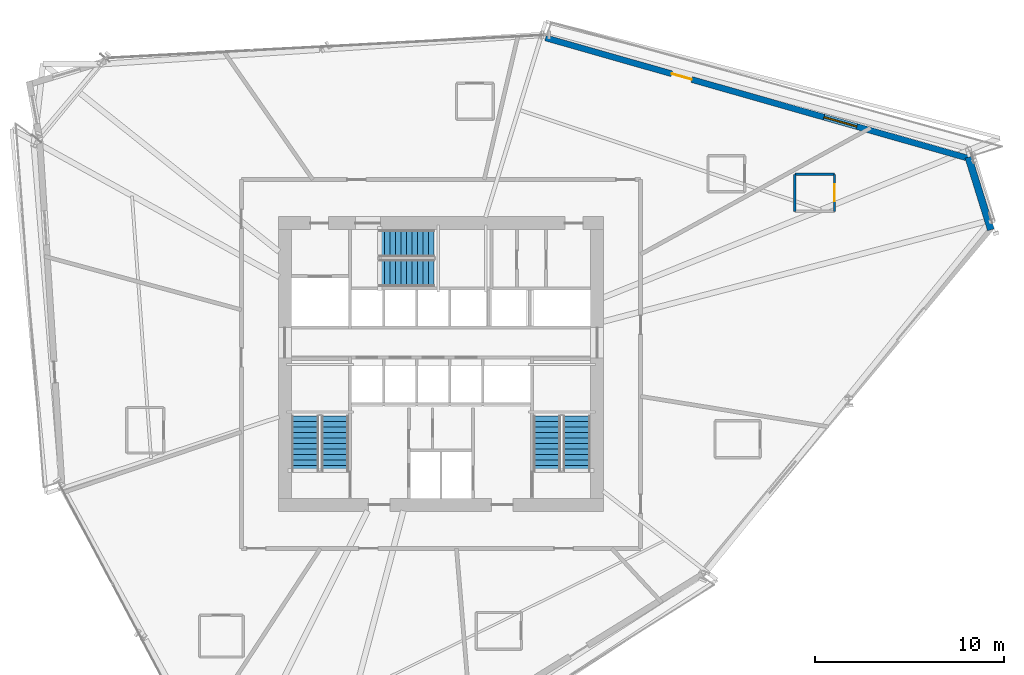
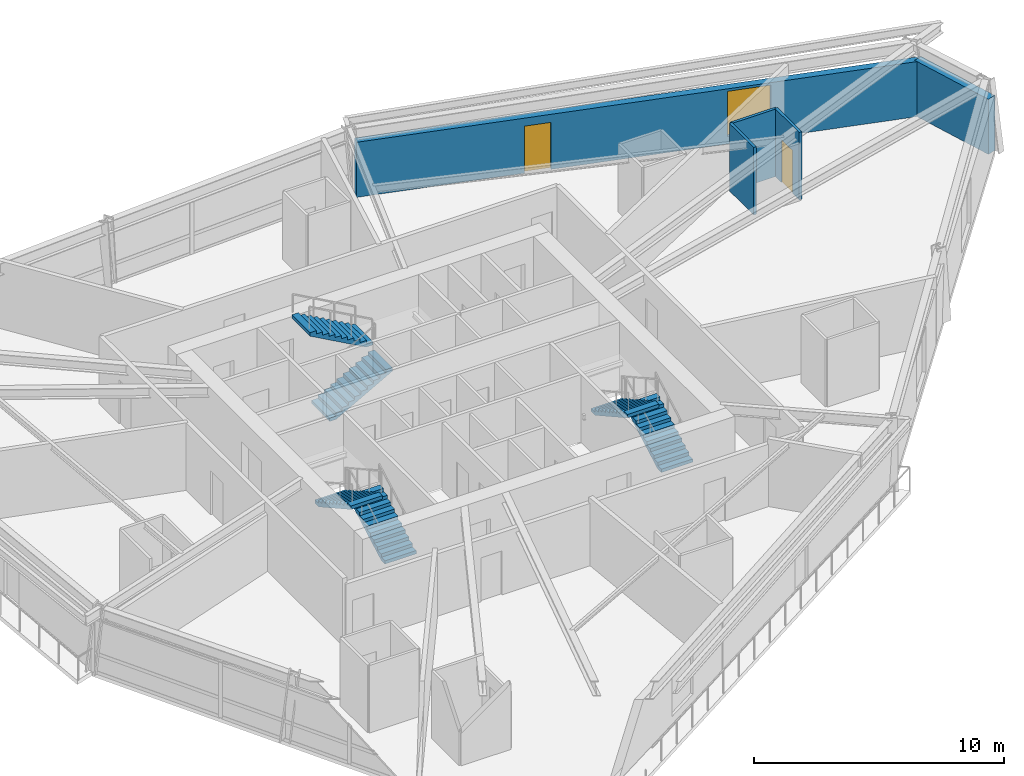
# One storey, part 17 of 21: 6 stair flights, 5 walls, 2 doors, 1 window, 3 openings, 3 elements without a shape of their own.
"""IFC4 building model written with IfcOpenShell, lengths in metres."""

from ifc_helpers import new_model, si_unit, direction, frame, frame_2d, origin, place, context, subcontext, project, spatial, polyline, rectangle, outline, extrude, source, transform, mapped, material, layer, layer_set, type_object, type_shapes, element, fill, aggregate, save


model = new_model("IFC4")

# Units and contexts
model_context = context("Model", 3, precision=1e-05, world=origin(), true_north=direction((0.0, 1.0)))
body_context = subcontext(model_context, "Body", "Model", "MODEL_VIEW")
ifc_project = project(units=[si_unit("LENGTHUNIT", "METRE"), si_unit("AREAUNIT", "SQUARE_METRE"), si_unit("VOLUMEUNIT", "CUBIC_METRE"), si_unit("PLANEANGLEUNIT", "RADIAN"), si_unit("MASSUNIT", "GRAM", prefix="KILO")], contexts=[model_context])

# Site, building, storey
site_placement = place(None, origin())
site = spatial("IfcSite", under=ifc_project, at=site_placement, CompositionType="ELEMENT")
building_placement = place(site_placement, origin())
building = spatial("IfcBuilding", under=site, at=building_placement, Name="Olszyna Solenne Hotel", CompositionType="ELEMENT")
storey_placement = place(building_placement, frame((0.0, 0.0, 105.699951171875)))
storey = spatial("IfcBuildingStorey", under=building, at=storey_placement, Name="L27", CompositionType="ELEMENT", Elevation=105.699951171875)

# Wall, openings, door, window
ifc_material_1 = material(Name="Precast concrete C45/55", Category="concrete")
ifc_layer_1 = layer(ifc_material_1, 0.320068359375, Name="Precast concrete C45/55")
ifc_layer_set_1 = layer_set([ifc_layer_1], Name="Precast concrete C45/55")
wall_type_1 = type_object("IfcWallType", Name="WL-EX320", PredefinedType="SOLIDWALL", material=ifc_layer_set_1)
wall_1_placement = place(storey_placement, frame((43.52978515625, 43.842529296875, 0.0), z_axis=(0.0, 0.0, 1.0), x_axis=(0.961735223094, -0.273980584458, 0.0)))
wall_1 = element("IfcWall", 1, at=wall_1_placement, inside=storey, type_object=wall_type_1, Name="Exterior terracotta-precast frame wall WL-EX320 EW-L27-08", PredefinedType="SOLIDWALL", context=body_context, shape_type="SweptSolid", body=[
    extrude(rectangle(XDim=23.384765625, YDim=0.320068359375, at=frame_2d((11.6923828125, 0.0))), origin(), (0.0, 0.0, 1.0), 2.692138671875),
])
opening_1_placement = place(wall_1_placement, frame((6.93310546875, 0.0, 0.0)))
opening_1 = element("IfcOpeningElement", 2, at=opening_1_placement, cuts=wall_1, Name="Opening LDG-L27-1", PredefinedType="OPENING", context=body_context, shape_type="SweptSolid", body=[
    extrude(rectangle(XDim=1.10009765625, YDim=2.300048828125, at=frame_2d((0.550048828125, 1.14990234375))), frame((0.0, 0.169921875, 0.0), z_axis=(0.0, -1.0, 0.0), x_axis=(1.0, 0.0, 0.0)), (0.0, 0.0, 1.0), 0.340087890625),
])
opening_2_placement = place(wall_1_placement, frame((15.304931640625, 0.0, 0.3720703125)))
opening_2 = element("IfcOpeningElement", 3, at=opening_2_placement, cuts=wall_1, Name="Opening WN-L27-151", PredefinedType="OPENING", context=body_context, shape_type="SweptSolid", body=[
    extrude(rectangle(XDim=1.800048828125, YDim=2.199951171875, at=frame_2d((0.89990234375, 1.10009765625))), frame((0.0, 0.169921875, 0.0), z_axis=(0.0, -1.0, 0.0), x_axis=(1.0, 0.0, 0.0)), (0.0, 0.0, 1.0), 0.340087890625),
])
ifc_material_2 = material(Name="Anodised bronze aluminium", Category="aluminium")
door_type_1 = type_object("IfcDoorType", Name="DR-LG1", OperationType="NOTDEFINED", PredefinedType="DOOR", material=ifc_material_2)
shared_shape_1 = source(origin(), body_context, "Body", "SweptSolid", [
    extrude(rectangle(XDim=1.10009765625, YDim=2.300048828125, at=frame_2d((0.550048828125, 1.14990234375))), frame((0.0, 0.02490234375, 0.0), z_axis=(0.0, -1.0, 0.0), x_axis=(1.0, 0.0, 0.0)), (0.0, 0.0, 1.0), 0.050048828125),
])
type_shapes(door_type_1, [shared_shape_1])
door_1_placement = place(opening_1_placement, origin())
door_1 = element("IfcDoor", 4, at=door_1_placement, inside=storey, type_object=door_type_1, Name="Exterior loggia balcony door DR-LG1 LDG-L27-1", OperationType="SINGLE_SWING_LEFT", OverallHeight=2.300048828125, OverallWidth=1.10009765625, PredefinedType="DOOR", context=body_context, shape_type="MappedRepresentation", body=[
    mapped(shared_shape_1, transform((0.0, 0.0, 0.0), x_axis=(1.0, 0.0, 0.0), y_axis=(0.0, 1.0, 0.0), z_axis=(0.0, 0.0, 1.0), scale=1.0)),
])
fill(opening_1, door_1)
ifc_material_3 = material(Name="Low-E triple glazing", Category="glass")
window_type = type_object("IfcWindowType", Name="WN-HT1", PartitioningType="SINGLE_PANEL", PredefinedType="WINDOW", material=ifc_material_3)
shared_shape_2 = source(origin(), body_context, "Body", "SweptSolid", [
    extrude(rectangle(XDim=1.800048828125, YDim=2.199951171875, at=frame_2d((0.89990234375, 1.10009765625))), frame((0.0, 0.030029296875, 0.0), z_axis=(0.0, -1.0, 0.0), x_axis=(1.0, 0.0, 0.0)), (0.0, 0.0, 1.0), 0.06005859375),
])
type_shapes(window_type, [shared_shape_2])
window_placement = place(opening_2_placement, origin())
window = element("IfcWindow", 5, at=window_placement, inside=storey, type_object=window_type, Name="Loggia room window WN-HT1 WN-L27-151", OverallHeight=2.199951171875, OverallWidth=1.800048828125, PartitioningType="SINGLE_PANEL", PredefinedType="WINDOW", context=body_context, shape_type="MappedRepresentation", body=[
    mapped(shared_shape_2, transform((0.0, 0.0, 0.0), x_axis=(1.0, 0.0, 0.0), y_axis=(0.0, 1.0, 0.0), z_axis=(0.0, 0.0, 1.0), scale=1.0)),
])
fill(opening_2, window)

# Wall
ifc_material_4 = material(Name="Terracotta cladding on precast concrete C45/55", Category="masonry")
ifc_layer_2 = layer(ifc_material_4, 0.3798828125, Name="Terracotta cladding on precast concrete C45/55")
ifc_layer_set_2 = layer_set([ifc_layer_2], Name="Terracotta cladding on precast concrete C45/55")
wall_type_2 = type_object("IfcWallType", Name="WL-EX380", PredefinedType="SOLIDWALL", material=ifc_layer_set_2)
wall_2_placement = place(storey_placement, frame((65.882080078125, 37.533203125, 0.0), z_axis=(0.0, 0.0, 1.0), x_axis=(0.296531061264, -0.955023208988, 0.0)))
element("IfcWall", 6, at=wall_2_placement, inside=storey, type_object=wall_type_2, Name="Exterior terracotta-precast frame wall WL-EX380 EW-L27-09", PredefinedType="SOLIDWALL", context=body_context, shape_type="SweptSolid", body=[
    extrude(rectangle(XDim=4.0185546875, YDim=0.3798828125, at=frame_2d((2.00927734375, 0.0))), origin(), (0.0, 0.0, 1.0), 2.692138671875),
])

# Wall, opening, door
ifc_material_5 = material(Name="Acoustic gypsum partition", Category="gypsum")
ifc_layer_3 = layer(ifc_material_5, 0.125, Name="Acoustic gypsum partition")
ifc_layer_set_3 = layer_set([ifc_layer_3], Name="Acoustic gypsum partition")
wall_type_3 = type_object("IfcWallType", Name="WL-PT125", PredefinedType="PARTITIONING", material=ifc_layer_set_3)
wall_3_placement = place(storey_placement, frame((58.802001953125, 34.674072265625, 0.0), z_axis=(0.0, 0.0, 1.0), x_axis=(0.0, 1.0, 0.0)))
wall_3 = element("IfcWall", 7, at=wall_3_placement, inside=storey, type_object=wall_type_3, Name="Interior acoustic partition WL-PT125 PW-L27-1571", PredefinedType="PARTITIONING", context=body_context, shape_type="SweptSolid", body=[
    extrude(rectangle(XDim=1.949951171875, YDim=0.125, at=frame_2d((0.97509765625, 0.0))), origin(), (0.0, 0.0, 1.0), 3.300048828125),
])
opening_3_placement = place(wall_3_placement, frame((0.52490234375, 0.0, 0.0)))
opening_3 = element("IfcOpeningElement", 8, at=opening_3_placement, cuts=wall_3, Name="Opening DR-L27-0368", PredefinedType="OPENING", context=body_context, shape_type="SweptSolid", body=[
    extrude(rectangle(XDim=0.89990234375, YDim=2.10009765625, at=frame_2d((0.449951171875, 1.050048828125))), frame((0.0, 0.072509765625, 0.0), z_axis=(0.0, -1.0, 0.0), x_axis=(1.0, 0.0, 0.0)), (0.0, 0.0, 1.0), 0.14501953125),
])
ifc_material_6 = material(Name="Timber hardwood", Category="wood")
door_type_2 = type_object("IfcDoorType", Name="DR-WC1", OperationType="NOTDEFINED", PredefinedType="DOOR", material=ifc_material_6)
shared_shape_3 = source(origin(), body_context, "Body", "SweptSolid", [
    extrude(rectangle(XDim=0.89990234375, YDim=2.10009765625, at=frame_2d((0.449951171875, 1.050048828125))), frame((0.0, 0.02490234375, 0.0), z_axis=(0.0, -1.0, 0.0), x_axis=(1.0, 0.0, 0.0)), (0.0, 0.0, 1.0), 0.050048828125),
])
type_shapes(door_type_2, [shared_shape_3])
door_2_placement = place(opening_3_placement, origin())
door_2 = element("IfcDoor", 9, at=door_2_placement, inside=storey, type_object=door_type_2, Name="En-Suite Bathroom Door DR-L27-0368", OperationType="SINGLE_SWING_RIGHT", OverallHeight=2.10009765625, OverallWidth=0.89990234375, PredefinedType="DOOR", context=body_context, shape_type="MappedRepresentation", body=[
    mapped(shared_shape_3, transform((0.0, 0.0, 0.0), x_axis=(1.0, 0.0, 0.0), y_axis=(0.0, 1.0, 0.0), z_axis=(0.0, 0.0, 1.0), scale=1.0)),
])
fill(opening_3, door_2)

# Walls
wall_4_placement = place(storey_placement, frame((58.802001953125, 36.6240234375, 0.0), z_axis=(0.0, 0.0, 1.0), x_axis=(-1.0, 0.0, 0.0)))
element("IfcWall", 10, at=wall_4_placement, inside=storey, type_object=wall_type_3, Name="Interior acoustic partition WL-PT125 PW-L27-1572", PredefinedType="PARTITIONING", context=body_context, shape_type="SweptSolid", body=[
    extrude(rectangle(XDim=2.10009765625, YDim=0.125, at=frame_2d((1.050048828125, 0.0))), origin(), (0.0, 0.0, 1.0), 3.300048828125),
])
wall_5_placement = place(storey_placement, frame((56.701904296875, 36.6240234375, 0.0), z_axis=(0.0, 0.0, 1.0), x_axis=(0.0, -1.0, 0.0)))
element("IfcWall", 11, at=wall_5_placement, inside=storey, type_object=wall_type_3, Name="Interior acoustic partition WL-PT125 PW-L27-1573", PredefinedType="PARTITIONING", context=body_context, shape_type="SweptSolid", body=[
    extrude(rectangle(XDim=1.949951171875, YDim=0.125, at=frame_2d((0.97509765625, 0.0))), origin(), (0.0, 0.0, 1.0), 3.300048828125),
])

# Stair, stair flights
ifc_material_7 = material(Name="Concrete C40/50", Category="concrete")
stair_type = type_object("IfcStairType", Name="STR-C1", PredefinedType="TWO_QUARTER_WINDING_STAIR", material=ifc_material_7)
stair_1_placement = place(storey_placement, origin())
stair_1 = element("IfcStair", 12, at=stair_1_placement, inside=storey, type_object=stair_type, Name="L27 ST1", PredefinedType="TWO_QUARTER_WINDING_STAIR")
stair_flight_type = type_object("IfcStairFlightType", Name="FLT-C1", PredefinedType="STRAIGHT", material=ifc_material_7)
stair_flight_1_placement = place(storey_placement, frame((32.39501953125, 20.949951171875, 0.0), z_axis=(0.0, 0.0, 1.0), x_axis=(0.0, 1.0, 0.0)))
stair_flight_1 = element("IfcStairFlight", 13, at=stair_flight_1_placement, type_object=stair_flight_type, Name="ST1 flight 1", NumberOfRisers=11, NumberOfTreads=10, PredefinedType="STRAIGHT", RiserHeight=0.161363636, TreadLength=0.29, context=body_context, shape_type="SweptSolid", body=[
    extrude(outline(polyline([(0.0, 0.0), (0.0, 0.161376953125), (0.2900390625, 0.161376953125), (0.2900390625, 0.32275390625), (0.580078125, 0.32275390625), (0.580078125, 0.484130859375), (0.8701171875, 0.484130859375), (0.8701171875, 0.6455078125), (1.159912109375, 0.6455078125), (1.159912109375, 0.806884765625), (1.449951171875, 0.806884765625), (1.449951171875, 0.96826171875), (1.739990234375, 0.96826171875), (1.739990234375, 1.129638671875), (2.030029296875, 1.129638671875), (2.030029296875, 1.291015625), (2.320068359375, 1.291015625), (2.320068359375, 1.452392578125), (2.610107421875, 1.452392578125), (2.610107421875, 1.613525390625), (2.89990234375, 1.613525390625), (2.89990234375, 1.77490234375), (2.89990234375, 1.442138671875), (0.308349609375, 0.0), (0.0, 0.0)])), frame((0.0, 0.72509765625, 0.0), z_axis=(0.0, -1.0, 0.0), x_axis=(1.0, 0.0, 0.0)), (0.0, 0.0, 1.0), 1.449951171875),
])
stair_flight_2_placement = place(storey_placement, frame((30.824951171875, 23.85009765625, 1.775146484375), z_axis=(0.0, 0.0, 1.0), x_axis=(0.0, -1.0, 0.0)))
stair_flight_2 = element("IfcStairFlight", 14, at=stair_flight_2_placement, type_object=stair_flight_type, Name="ST1 flight 2", NumberOfRisers=11, NumberOfTreads=10, PredefinedType="STRAIGHT", RiserHeight=0.161363636, TreadLength=0.29, context=body_context, shape_type="SweptSolid", body=[
    extrude(outline(polyline([(0.0, 0.0), (0.0, 0.161376953125), (0.2900390625, 0.161376953125), (0.2900390625, 0.32275390625), (0.580078125, 0.32275390625), (0.580078125, 0.484130859375), (0.8701171875, 0.484130859375), (0.8701171875, 0.6455078125), (1.159912109375, 0.6455078125), (1.159912109375, 0.806884765625), (1.449951171875, 0.806884765625), (1.449951171875, 0.96826171875), (1.739990234375, 0.96826171875), (1.739990234375, 1.129638671875), (2.030029296875, 1.129638671875), (2.030029296875, 1.291015625), (2.320068359375, 1.291015625), (2.320068359375, 1.452392578125), (2.610107421875, 1.452392578125), (2.610107421875, 1.613525390625), (2.89990234375, 1.613525390625), (2.89990234375, 1.77490234375), (2.89990234375, 1.442138671875), (0.308349609375, 0.0), (0.0, 0.0)])), frame((0.0, 0.72509765625, 0.0), z_axis=(0.0, -1.0, 0.0), x_axis=(1.0, 0.0, 0.0)), (0.0, 0.0, 1.0), 1.449951171875),
])
aggregate(stair_1, [stair_flight_1, stair_flight_2])

stair_2_placement = place(storey_placement, origin())
stair_2 = element("IfcStair", 15, at=stair_2_placement, inside=storey, type_object=stair_type, Name="L27 ST2", PredefinedType="TWO_QUARTER_WINDING_STAIR")
stair_flight_3_placement = place(storey_placement, frame((45.175048828125, 20.949951171875, 0.0), z_axis=(0.0, 0.0, 1.0), x_axis=(0.0, 1.0, 0.0)))
stair_flight_3 = element("IfcStairFlight", 16, at=stair_flight_3_placement, type_object=stair_flight_type, Name="ST2 flight 1", NumberOfRisers=11, NumberOfTreads=10, PredefinedType="STRAIGHT", RiserHeight=0.161363636, TreadLength=0.29, context=body_context, shape_type="SweptSolid", body=[
    extrude(outline(polyline([(0.0, 0.0), (0.0, 0.161376953125), (0.2900390625, 0.161376953125), (0.2900390625, 0.32275390625), (0.580078125, 0.32275390625), (0.580078125, 0.484130859375), (0.8701171875, 0.484130859375), (0.8701171875, 0.6455078125), (1.159912109375, 0.6455078125), (1.159912109375, 0.806884765625), (1.449951171875, 0.806884765625), (1.449951171875, 0.96826171875), (1.739990234375, 0.96826171875), (1.739990234375, 1.129638671875), (2.030029296875, 1.129638671875), (2.030029296875, 1.291015625), (2.320068359375, 1.291015625), (2.320068359375, 1.452392578125), (2.610107421875, 1.452392578125), (2.610107421875, 1.613525390625), (2.89990234375, 1.613525390625), (2.89990234375, 1.77490234375), (2.89990234375, 1.442138671875), (0.308349609375, 0.0), (0.0, 0.0)])), frame((0.0, 0.72509765625, 0.0), z_axis=(0.0, -1.0, 0.0), x_axis=(1.0, 0.0, 0.0)), (0.0, 0.0, 1.0), 1.449951171875),
])
stair_flight_4_placement = place(storey_placement, frame((43.60498046875, 23.85009765625, 1.775146484375), z_axis=(0.0, 0.0, 1.0), x_axis=(0.0, -1.0, 0.0)))
stair_flight_4 = element("IfcStairFlight", 17, at=stair_flight_4_placement, type_object=stair_flight_type, Name="ST2 flight 2", NumberOfRisers=11, NumberOfTreads=10, PredefinedType="STRAIGHT", RiserHeight=0.161363636, TreadLength=0.29, context=body_context, shape_type="SweptSolid", body=[
    extrude(outline(polyline([(0.0, 0.0), (0.0, 0.161376953125), (0.2900390625, 0.161376953125), (0.2900390625, 0.32275390625), (0.580078125, 0.32275390625), (0.580078125, 0.484130859375), (0.8701171875, 0.484130859375), (0.8701171875, 0.6455078125), (1.159912109375, 0.6455078125), (1.159912109375, 0.806884765625), (1.449951171875, 0.806884765625), (1.449951171875, 0.96826171875), (1.739990234375, 0.96826171875), (1.739990234375, 1.129638671875), (2.030029296875, 1.129638671875), (2.030029296875, 1.291015625), (2.320068359375, 1.291015625), (2.320068359375, 1.452392578125), (2.610107421875, 1.452392578125), (2.610107421875, 1.613525390625), (2.89990234375, 1.613525390625), (2.89990234375, 1.77490234375), (2.89990234375, 1.442138671875), (0.308349609375, 0.0), (0.0, 0.0)])), frame((0.0, 0.72509765625, 0.0), z_axis=(0.0, -1.0, 0.0), x_axis=(1.0, 0.0, 0.0)), (0.0, 0.0, 1.0), 1.449951171875),
])
aggregate(stair_2, [stair_flight_3, stair_flight_4])

stair_3_placement = place(storey_placement, origin())
stair_3 = element("IfcStair", 18, at=stair_3_placement, inside=storey, type_object=stair_type, Name="L27 ST3", PredefinedType="TWO_QUARTER_WINDING_STAIR")
stair_flight_5_placement = place(storey_placement, frame((34.72998046875, 31.405029296875, 0.0), z_axis=(0.0, 0.0, 1.0), x_axis=(1.0, 0.0, 0.0)))
stair_flight_5 = element("IfcStairFlight", 19, at=stair_flight_5_placement, type_object=stair_flight_type, Name="ST3 flight 1", NumberOfRisers=11, NumberOfTreads=10, PredefinedType="STRAIGHT", RiserHeight=0.161363636, TreadLength=0.29, context=body_context, shape_type="SweptSolid", body=[
    extrude(outline(polyline([(0.0, 0.0), (0.0, 0.161376953125), (0.2900390625, 0.161376953125), (0.2900390625, 0.32275390625), (0.580078125, 0.32275390625), (0.580078125, 0.484130859375), (0.8701171875, 0.484130859375), (0.8701171875, 0.6455078125), (1.159912109375, 0.6455078125), (1.159912109375, 0.806884765625), (1.449951171875, 0.806884765625), (1.449951171875, 0.96826171875), (1.739990234375, 0.96826171875), (1.739990234375, 1.129638671875), (2.030029296875, 1.129638671875), (2.030029296875, 1.291015625), (2.320068359375, 1.291015625), (2.320068359375, 1.452392578125), (2.610107421875, 1.452392578125), (2.610107421875, 1.613525390625), (2.89990234375, 1.613525390625), (2.89990234375, 1.77490234375), (2.89990234375, 1.442138671875), (0.308349609375, 0.0), (0.0, 0.0)])), frame((0.0, 0.72509765625, 0.0), z_axis=(0.0, -1.0, 0.0), x_axis=(1.0, 0.0, 0.0)), (0.0, 0.0, 1.0), 1.449951171875),
])
stair_flight_6_placement = place(storey_placement, frame((37.6298828125, 32.97509765625, 1.775146484375), z_axis=(0.0, 0.0, 1.0), x_axis=(-1.0, 0.0, 0.0)))
stair_flight_6 = element("IfcStairFlight", 20, at=stair_flight_6_placement, type_object=stair_flight_type, Name="ST3 flight 2", NumberOfRisers=11, NumberOfTreads=10, PredefinedType="STRAIGHT", RiserHeight=0.161363636, TreadLength=0.29, context=body_context, shape_type="SweptSolid", body=[
    extrude(outline(polyline([(0.0, 0.0), (0.0, 0.161376953125), (0.2900390625, 0.161376953125), (0.2900390625, 0.32275390625), (0.580078125, 0.32275390625), (0.580078125, 0.484130859375), (0.8701171875, 0.484130859375), (0.8701171875, 0.6455078125), (1.159912109375, 0.6455078125), (1.159912109375, 0.806884765625), (1.449951171875, 0.806884765625), (1.449951171875, 0.96826171875), (1.739990234375, 0.96826171875), (1.739990234375, 1.129638671875), (2.030029296875, 1.129638671875), (2.030029296875, 1.291015625), (2.320068359375, 1.291015625), (2.320068359375, 1.452392578125), (2.610107421875, 1.452392578125), (2.610107421875, 1.613525390625), (2.89990234375, 1.613525390625), (2.89990234375, 1.77490234375), (2.89990234375, 1.442138671875), (0.308349609375, 0.0), (0.0, 0.0)])), frame((0.0, 0.72509765625, 0.0), z_axis=(0.0, -1.0, 0.0), x_axis=(1.0, 0.0, 0.0)), (0.0, 0.0, 1.0), 1.449951171875),
])
aggregate(stair_3, [stair_flight_5, stair_flight_6])

save(model, "model.ifc")
